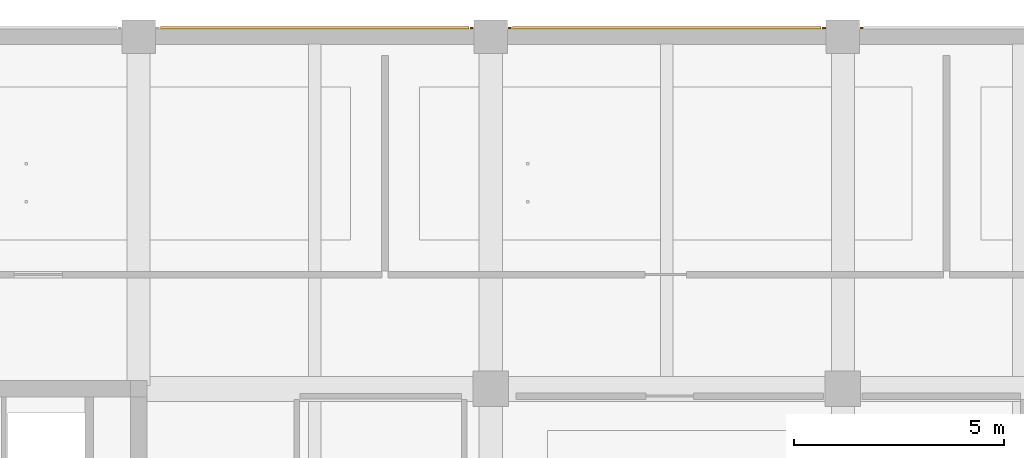
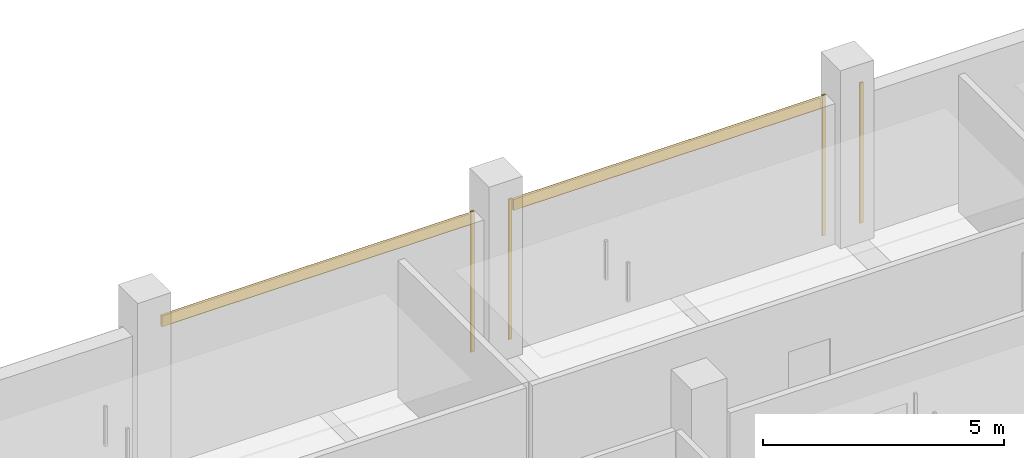
# One storey, part 33 of 35: 6 coverings.
"""IFC4 building model written with IfcOpenShell, lengths in metres."""

from ifc_helpers import new_model, si_unit, direction, frame, origin, origin_2d, place, context, subcontext, project, spatial, rectangle, extrude, material, layer, layer_set, type_object, element, save


model = new_model("IFC4")

# Units and contexts
model_context = context("Model", 3, precision=1e-05, world=origin(), true_north=direction((0.0, 1.0)))
body_context = subcontext(model_context, "Body", "Model", "MODEL_VIEW")
ifc_project = project(units=[si_unit("LENGTHUNIT", "METRE"), si_unit("AREAUNIT", "SQUARE_METRE"), si_unit("VOLUMEUNIT", "CUBIC_METRE"), si_unit("PLANEANGLEUNIT", "RADIAN"), si_unit("MASSUNIT", "GRAM", prefix="KILO")], contexts=[model_context])

# Site, building, storey
site_placement = place(None, origin())
site = spatial("IfcSite", under=ifc_project, at=site_placement, CompositionType="ELEMENT")
building_placement = place(site_placement, origin())
building = spatial("IfcBuilding", under=site, at=building_placement, Name="Telukmera Botanical Conservatory", CompositionType="ELEMENT")
storey_placement = place(building_placement, frame((0.0, 0.0, 28.5)))
storey = spatial("IfcBuildingStorey", under=building, at=storey_placement, Name="L06", CompositionType="ELEMENT", Elevation=28.5)

# Coverings
ifc_material_1 = material(Name="Granite-faced precast concrete C40/50", Category="masonry")
ifc_layer_1 = layer(ifc_material_1, 0.0400390625)
ifc_layer_set_1 = layer_set([ifc_layer_1], Name="Granite-faced precast concrete C40/50")
covering_type_1 = type_object("IfcCoveringType", Name="Granite Precast Column Pier Reveal Casing", PredefinedType="CLADDING", material=ifc_layer_set_1)
for number, where, z_axis, x_axis, name in (
    (1, (75.14794921875, 43.010009765625, 0.0), (0.0, 0.0, 1.0), (1.0, 0.0, 0.0), "Granite Pier Reveal V4:L06:N3 R"),
    (2, (76.052001953125, 43.010009765625, 0.0), (0.0, 0.0, 1.0), (1.0, 0.0, 0.0), "Granite Pier Reveal V4:L06:N4 L"),
    (3, (83.548095703125, 43.010009765625, 0.0), (0.0, 0.0, 1.0), (1.0, 0.0, 0.0), "Granite Pier Reveal V4:L06:N4 R"),
    (4, (84.451904296875, 43.010009765625, 0.0), (0.0, 0.0, 1.0), (1.0, 0.0, 0.0), "Granite Pier Reveal V4:L06:N5 L"),
):
    element("IfcCovering", number, at=place(storey_placement, frame(where, z_axis=z_axis, x_axis=x_axis)), inside=storey, type_object=covering_type_1, Name=name, PredefinedType="CLADDING", context=body_context, shape_type="SweptSolid", body=[
        extrude(rectangle(XDim=0.080078125, YDim=0.0400390625, at=origin_2d()), origin(), (0.0, 0.0, 1.0), 3.550048828125),
    ])
ifc_material_2 = material(Name="Terracotta-faced precast concrete C40/50", Category="masonry")
ifc_layer_2 = layer(ifc_material_2, 0.06005859375)
ifc_layer_set_2 = layer_set([ifc_layer_2], Name="Terracotta-faced precast concrete C40/50")
covering_type_2 = type_object("IfcCoveringType", Name="Polychrome Terracotta Facade Band Cladding", PredefinedType="CLADDING", material=ifc_layer_set_2)
for number, where, z_axis, x_axis, name in (
    (5, (71.39990234375, 43.02001953125, 3.22998046875), (0.0, 0.0, 1.0), (1.0, 0.0, 0.0), "Polychrome Terracotta Band V4:L06:N3"),
    (6, (79.800048828125, 43.02001953125, 3.22998046875), (0.0, 0.0, 1.0), (1.0, 0.0, 0.0), "Polychrome Terracotta Band V4:L06:N4"),
):
    element("IfcCovering", number, at=place(storey_placement, frame(where, z_axis=z_axis, x_axis=x_axis)), inside=storey, type_object=covering_type_2, Name=name, PredefinedType="CLADDING", context=body_context, shape_type="SweptSolid", body=[
        extrude(rectangle(XDim=7.35595703125, YDim=0.06005859375, at=origin_2d()), origin(), (0.0, 0.0, 1.0), 0.280029296875),
    ])

save(model, "model.ifc")
